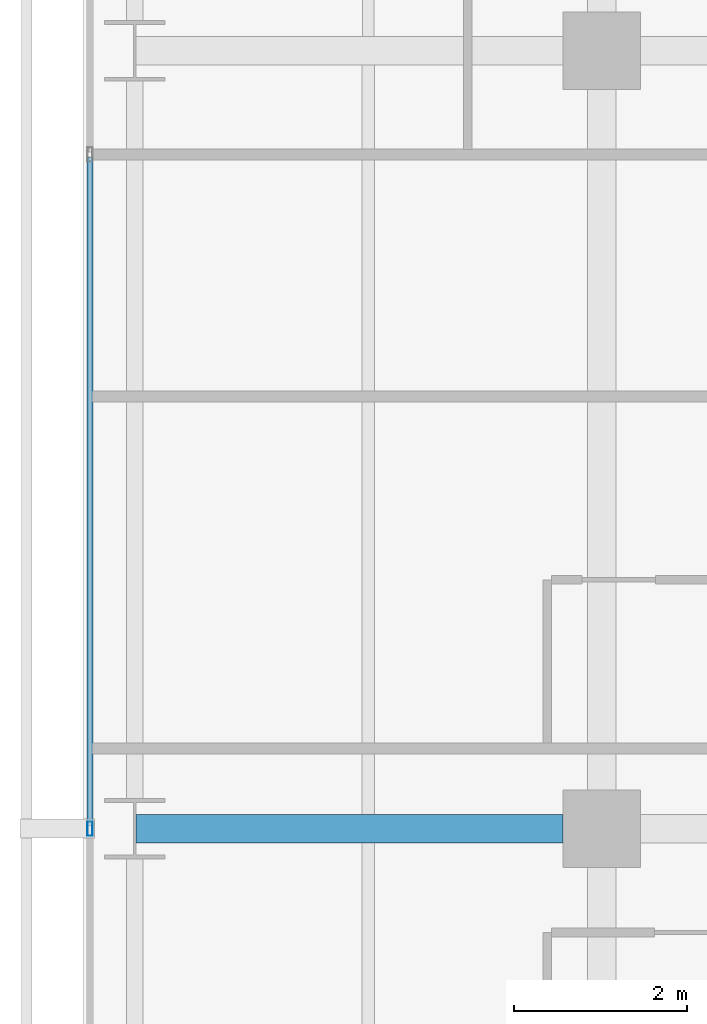
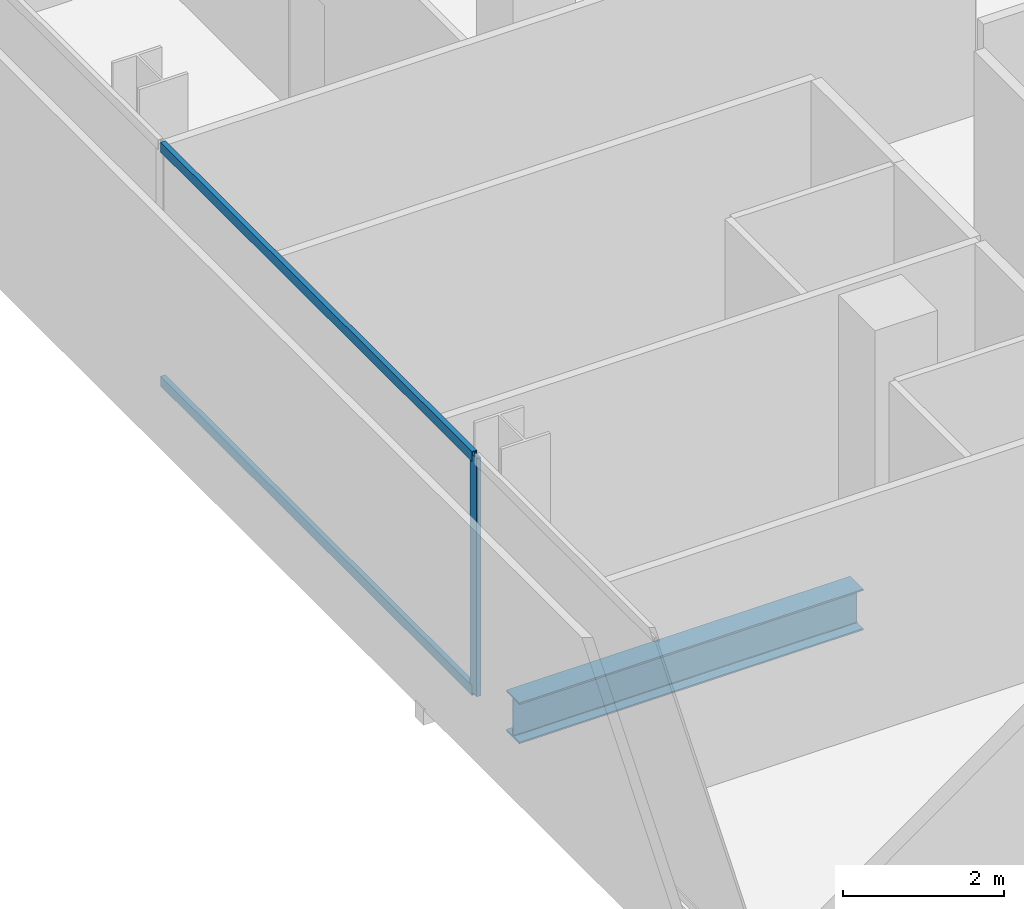
# One storey, part 12 of 41: 3 members, 1 beam, 1 element without a shape of its own.
"""IFC4 building model written with IfcOpenShell, lengths in metres."""

from ifc_helpers import new_model, si_unit, direction, frame, origin, origin_2d, place, context, subcontext, project, spatial, hollow_rectangle, i_section, extrude, material, layer, layer_set, material_profile, profile_set, type_object, element, aggregate, save


model = new_model("IFC4")

# Units and contexts
model_context = context("Model", 3, precision=1e-05, world=origin(), true_north=direction((0.0, 1.0)))
body_context = subcontext(model_context, "Body", "Model", "MODEL_VIEW")
ifc_project = project(units=[si_unit("LENGTHUNIT", "METRE"), si_unit("AREAUNIT", "SQUARE_METRE"), si_unit("VOLUMEUNIT", "CUBIC_METRE"), si_unit("PLANEANGLEUNIT", "RADIAN"), si_unit("MASSUNIT", "GRAM", prefix="KILO")], contexts=[model_context])

# Site, building, storey
site_placement = place(None, origin())
site = spatial("IfcSite", under=ifc_project, at=site_placement, CompositionType="ELEMENT")
building_placement = place(site_placement, origin())
building = spatial("IfcBuilding", under=site, at=building_placement, Name="Maruvema Waterfront Hotel and Observation Tower", CompositionType="ELEMENT")
storey_placement = place(building_placement, frame((0.0, 0.0, 61.60009765625)))
storey = spatial("IfcBuildingStorey", under=building, at=storey_placement, Name="L14", CompositionType="ELEMENT", Elevation=61.60009765625)

# Curtain wall, members
ifc_material_1 = material(Name="Anodised bronze aluminium and solar-control low-E IGU", Category="aluminium")
ifc_layer = layer(ifc_material_1, 0.159912109375, Name="Zone 1 Bronze Inner Thermal Curtain Wall System CW-02")
ifc_layer_set = layer_set([ifc_layer], Name="Anodised bronze aluminium and solar-control low-E IGU")
curtain_wall_type = type_object("IfcCurtainWallType", Name="Zone 1 Bronze Inner Thermal Curtain Wall System CW-02", PredefinedType="USERDEFINED", material=ifc_layer_set)
curtain_wall_placement = place(storey_placement, origin())
curtain_wall = element("IfcCurtainWall", 1, at=curtain_wall_placement, inside=storey, type_object=curtain_wall_type, Name="L14 Curtain Wall CW-L14-W", ObjectType="UNITISED CURTAIN WALL", PredefinedType="USERDEFINED")
ifc_material_2 = material(Name="Anodised architectural bronze aluminium", Category="aluminium")
ifc_material_profile_1 = material_profile(ifc_material_2, hollow_rectangle(XDim=0.070068359375, YDim=0.14990234375, WallThickness=0.00390625, at=origin_2d()), Name="ALU-T70x150")
ifc_profile_set_1 = profile_set([ifc_material_profile_1], Name="Anodised architectural bronze aluminium")
member_type_1 = type_object("IfcMemberType", Name="Curtain Wall Horizontal Transom ALU-T70x150", PredefinedType="USERDEFINED", material=ifc_profile_set_1)
member_1_placement = place(storey_placement, frame((10.8798828125, 34.77001953125, 0.02978515625), z_axis=(0.0, -1.0, 0.0), x_axis=(1.0, 0.0, 0.0)))
member_1 = element("IfcMember", 2, at=member_1_placement, type_object=member_type_1, Name="CW-02 transom 3.1", ObjectType="TRANSOM", PredefinedType="USERDEFINED", context=body_context, shape_type="SweptSolid", body=[
    extrude(hollow_rectangle(XDim=0.070068359375, YDim=0.14990234375, WallThickness=0.00390625, at=origin_2d()), origin(), (0.0, 0.0, 1.0), 7.739990234375),
])
member_2_placement = place(storey_placement, frame((10.8798828125, 34.77001953125, 3.579833984375), z_axis=(0.0, -1.0, 0.0), x_axis=(1.0, 0.0, 0.0)))
member_2 = element("IfcMember", 3, at=member_2_placement, type_object=member_type_1, Name="CW-02 transom 3.2", ObjectType="TRANSOM", PredefinedType="USERDEFINED", context=body_context, shape_type="SweptSolid", body=[
    extrude(hollow_rectangle(XDim=0.070068359375, YDim=0.14990234375, WallThickness=0.00390625, at=origin_2d()), origin(), (0.0, 0.0, 1.0), 7.739990234375),
])
ifc_material_3 = material(Name="Anodised architectural bronze aluminium", Category="aluminium")
ifc_material_profile_2 = material_profile(ifc_material_3, hollow_rectangle(XDim=0.06494140625, YDim=0.1650390625, WallThickness=0.00390625, at=origin_2d()), Name="ALU-M65x165")
ifc_profile_set_2 = profile_set([ifc_material_profile_2], Name="Anodised architectural bronze aluminium")
member_type_2 = type_object("IfcMemberType", Name="Curtain Wall Primary Mullion ALU-M65x165", PredefinedType="MULLION", material=ifc_profile_set_2)
member_3_placement = place(storey_placement, frame((10.8798828125, 27.0, 0.0), z_axis=(0.0, 0.0, 1.0), x_axis=(1.0, 0.0, 0.0)))
member_3 = element("IfcMember", 4, at=member_3_placement, type_object=member_type_2, Name="CW-02 mullion 4", PredefinedType="MULLION", context=body_context, shape_type="SweptSolid", body=[
    extrude(hollow_rectangle(XDim=0.06494140625, YDim=0.1650390625, WallThickness=0.00390625, at=origin_2d()), origin(), (0.0, 0.0, 1.0), 3.60986328125),
])
aggregate(curtain_wall, [member_3, member_1, member_2])

# Beam
ifc_material_4 = material(Name="Steel ASTM A572 Grade 50", Category="steel")
ifc_material_profile_3 = material_profile(ifc_material_4, i_section(OverallWidth=0.326904296875, OverallDepth=0.6220703125, WebThickness=0.015380859375, FlangeThickness=0.0244140625, FilletRadius=0.01806640625, at=origin_2d()), Name="W610x195.0")
ifc_profile_set_3 = profile_set([ifc_material_profile_3], Name="Steel ASTM A572 Grade 50")
beam_type = type_object("IfcBeamType", Name="Primary Floor Girder W610x195.0", PredefinedType="BEAM", material=ifc_profile_set_3)
beam_placement = place(storey_placement, frame((11.4140625, 27.0, -0.551025390625), z_axis=(1.0, 0.0, 0.0), x_axis=(0.0, 1.0, 0.0)))
element("IfcBeam", 5, at=beam_placement, inside=storey, type_object=beam_type, Name="L14 Floor Girder EW-20", PredefinedType="BEAM", context=body_context, shape_type="SweptSolid", body=[
    extrude(i_section(OverallWidth=0.326904296875, OverallDepth=0.6220703125, WebThickness=0.015380859375, FlangeThickness=0.0244140625, FilletRadius=0.01806640625, at=origin_2d()), origin(), (0.0, 0.0, 1.0), 4.93603515625),
])

save(model, "model.ifc")
